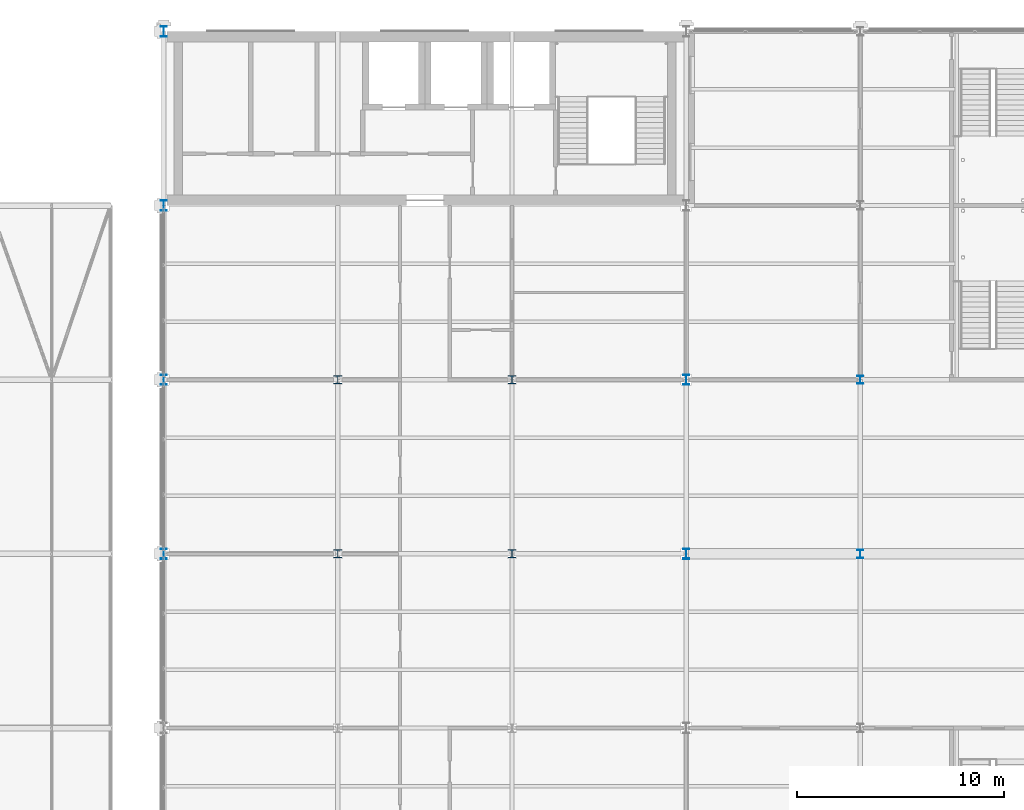
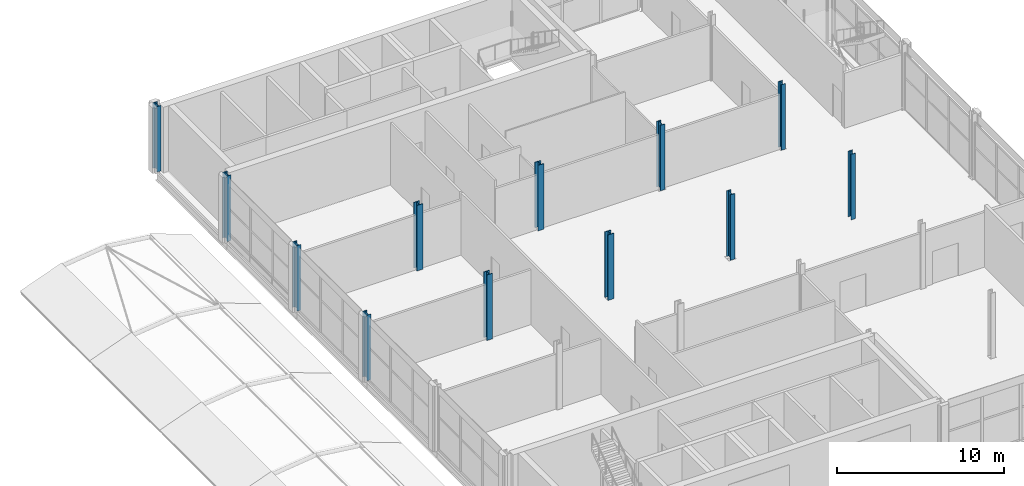
# One storey, part 13 of 167: 12 columns.
"""IFC4 building model written with IfcOpenShell, lengths in metres."""

import ifcopenshell
import ifcopenshell.guid

model = None  # the IFC model being written
_history = None  # IfcOwnerHistory: only IFC2X3 demands one
_inside = {}  # id of a spatial element -> (the spatial element, [elements in it])
_under = {}  # id of a project, library or spatial element -> (it, [spatial elements below it])
_declared = {}  # id of a project -> (the project, [libraries it declares])
_typed = {}  # id of a type object -> (the type object, [elements of that type])
_made_of = {}  # id of a material, layer set ... -> (it, [elements and type objects made of it])


def new_model(schema):
    """Start an empty IFC model of exactly this schema.

    Asked for "IFC4X3", IfcOpenShell would pick the latest addendum, in which some entities
    have other attributes; the version numbers below select the first issue.
    IFC2X3 requires an IfcOwnerHistory on every rooted entity: one is made here for all.
    """
    global model, _history
    if schema == "IFC4X3":
        model = ifcopenshell.file(schema_version=(4, 3, 0, 0))
    else:
        model = ifcopenshell.file(schema=schema)
    _inside.clear()
    _under.clear()
    _declared.clear()
    _typed.clear()
    _made_of.clear()
    _history = None
    if model.schema == "IFC2X3":
        org = make("IfcOrganization", Name="unknown")
        user = make(
            "IfcPersonAndOrganization",
            ThePerson=make("IfcPerson", FamilyName="unknown"),
            TheOrganization=org,
        )
        app = make(
            "IfcApplication",
            ApplicationDeveloper=org,
            Version="unknown",
            ApplicationFullName="unknown",
            ApplicationIdentifier="unknown",
        )
        _history = make(
            "IfcOwnerHistory",
            OwningUser=user,
            OwningApplication=app,
            ChangeAction="ADDED",
            CreationDate=0,
        )
    return model


def make(cls, **values):
    """One entity of the class cls with the attributes given. An attribute that is None is left unset."""
    return model.create_entity(
        cls, **{name: value for name, value in values.items() if value is not None}
    )


def rooted(cls, **values):
    """An entity with a GlobalId (a new one), such as an element, a storey or a relation."""
    return make(cls, GlobalId=ifcopenshell.guid.new(), OwnerHistory=_history, **values)


def si_unit(unit_type, name, prefix=None):
    """IfcSIUnit, for example si_unit("LENGTHUNIT", "METRE", prefix="MILLI")."""
    return make("IfcSIUnit", UnitType=unit_type, Prefix=prefix, Name=name)


def assignment(units):
    """IfcUnitAssignment: the units of a project."""
    return None if units is None else make("IfcUnitAssignment", Units=units)


def point(xyz):
    """IfcCartesianPoint."""
    return None if xyz is None else make("IfcCartesianPoint", Coordinates=xyz)


def direction(xyz):
    """IfcDirection."""
    return None if xyz is None else make("IfcDirection", DirectionRatios=xyz)


def frame(location, z_axis=None, x_axis=None):
    """IfcAxis2Placement3D, a coordinate frame: its origin and axes. An axis left out is left unset."""
    return make(
        "IfcAxis2Placement3D",
        Location=point(location),
        Axis=direction(z_axis),
        RefDirection=direction(x_axis),
    )


def frame_2d(location, x_axis=None):
    """IfcAxis2Placement2D, a coordinate frame in the plane: its origin and x axis."""
    return make(
        "IfcAxis2Placement2D", Location=point(location), RefDirection=direction(x_axis)
    )


def origin():
    """The frame at (0, 0, 0) with its axes left unset."""
    return frame((0.0, 0.0, 0.0))


def origin_2d():
    """The frame at (0, 0) in the plane with its x axis left unset."""
    return frame_2d((0.0, 0.0))


def place(relative_to, where):
    """IfcLocalPlacement: puts the frame where relative to a parent placement (None: the world)."""
    return make(
        "IfcLocalPlacement", PlacementRelTo=relative_to, RelativePlacement=where
    )


def context(
    kind, dimensions, precision=None, world=None, true_north=None, identifier=None
):
    """IfcGeometricRepresentationContext, for example the 3D "Model" context."""
    return make(
        "IfcGeometricRepresentationContext",
        ContextIdentifier=identifier,
        ContextType=kind,
        CoordinateSpaceDimension=dimensions,
        Precision=precision,
        WorldCoordinateSystem=world,
        TrueNorth=true_north,
    )


def subcontext(parent, identifier, kind, view, scale=None):
    """IfcGeometricRepresentationSubContext, for example "Body" below "Model"."""
    return make(
        "IfcGeometricRepresentationSubContext",
        ContextIdentifier=identifier,
        ContextType=kind,
        ParentContext=parent,
        TargetScale=scale,
        TargetView=view,
    )


def project(units=None, contexts=None):
    """IfcProject with its units and contexts."""
    return rooted(
        "IfcProject",
        Name="project",
        RepresentationContexts=contexts,
        UnitsInContext=assignment(units),
    )


def spatial(cls, under=None, at=None, **own):
    """A site, building, storey or space (cls), placed at a placement, below another one or the project."""
    s = rooted(cls, ObjectPlacement=at, **own)
    if under is not None:
        _under.setdefault(under.id(), (under, []))[1].append(s)
    return s


def profile(cls, at=None, kind="AREA", **sizes):
    """A parametric profile (cls). Its sizes go by their IFC names, for example OverallWidth=200.0."""
    return make(cls, ProfileType=kind, Position=at, **sizes)


def i_section(**sizes):
    """IfcIShapeProfileDef."""
    return profile("IfcIShapeProfileDef", **sizes)


def extrude(swept, where, along, depth):
    """IfcExtrudedAreaSolid: the profile swept, set in the frame where, extruded along a direction by depth."""
    return make(
        "IfcExtrudedAreaSolid",
        SweptArea=swept,
        Position=where,
        ExtrudedDirection=direction(along),
        Depth=depth,
    )


def shape(context_of_items, identifier, shape_type, items):
    """IfcShapeRepresentation: the items that make up one representation, for example the "Body"."""
    return make(
        "IfcShapeRepresentation",
        ContextOfItems=context_of_items,
        RepresentationIdentifier=identifier,
        RepresentationType=shape_type,
        Items=items,
    )


def material(Name=None, Category=None):
    """IfcMaterial."""
    return make("IfcMaterial", Name=Name, Category=Category)


def material_profile(
    of_material, cross_section, Name=None, Category=None, Priority=None
):
    """IfcMaterialProfile: a cross section and its material."""
    return make(
        "IfcMaterialProfile",
        Name=Name,
        Material=of_material,
        Profile=cross_section,
        Priority=Priority,
        Category=Category,
    )


def profile_set(profiles, Name=None, composite=None):
    """IfcMaterialProfileSet."""
    return make(
        "IfcMaterialProfileSet",
        Name=Name,
        MaterialProfiles=profiles,
        CompositeProfile=composite,
    )


def made_of(thing, what):
    """Note that an element or type object is made of a material, layer set ...; save() writes the relation."""
    if what is not None:
        _made_of.setdefault(what.id(), (what, []))[1].append(thing)
    return thing


def type_object(cls, material=None, **own):
    """A type object (cls), such as IfcWallType, which elements share."""
    return made_of(rooted(cls, **own), material)


def element(
    cls,
    number,
    at=None,
    inside=None,
    cuts=None,
    type_object=None,
    material=None,
    context=None,
    identifier="Body",
    shape_type=None,
    held_by="IfcProductDefinitionShape",
    body=None,
    shapes=None,
    **own,
):
    """One element of the class cls, such as IfcWall. Its Tag is "e" and its number.

    at: its placement. inside: the storey or other place that contains it. cuts: it is an
    opening in that element (IfcRelVoidsElement). A single representation is given by context,
    identifier, shape_type and body (its items); several are given by shapes. held_by: the class
    of the entity that holds the representations. save() writes the other relations.
    """
    e = rooted(cls, Tag="e%d" % number, ObjectPlacement=at, **own)
    if body is not None:
        shapes = [shape(context, identifier, shape_type, body)]
    if shapes is not None:
        e.Representation = make(held_by, Representations=shapes)
    if inside is not None:
        _inside.setdefault(inside.id(), (inside, []))[1].append(e)
    if cuts is not None:
        rooted(
            "IfcRelVoidsElement", RelatingBuildingElement=cuts, RelatedOpeningElement=e
        )
    if type_object is not None:
        _typed.setdefault(type_object.id(), (type_object, []))[1].append(e)
    return made_of(e, material)


def aggregate(whole, parts):
    """IfcRelAggregates: a whole, such as a stair, and the parts it consists of."""
    return rooted("IfcRelAggregates", RelatingObject=whole, RelatedObjects=parts)


def save(model, path):
    """Write the relations noted so far, then the file.

    IfcRelAggregates (storeys below a building ...), IfcRelContainedInSpatialStructure (elements
    in a storey), IfcRelDefinesByType, IfcRelAssociatesMaterial and IfcRelDeclares: one each for
    every whole, place, type object, material and project.
    """
    for whole, parts in _under.values():
        aggregate(whole, parts)
    for where, things in _inside.values():
        rooted(
            "IfcRelContainedInSpatialStructure",
            RelatedElements=things,
            RelatingStructure=where,
        )
    for kind, things in _typed.values():
        rooted("IfcRelDefinesByType", RelatedObjects=things, RelatingType=kind)
    for what, things in _made_of.values():
        rooted("IfcRelAssociatesMaterial", RelatedObjects=things, RelatingMaterial=what)
    for by, libraries in _declared.values():
        rooted("IfcRelDeclares", RelatingContext=by, RelatedDefinitions=libraries)
    model.write(path)


model = new_model("IFC4")

# Units and contexts
model_context = context("Model", 3, precision=1e-05, world=origin(), true_north=direction((0.0, 1.0)))
body_context = subcontext(model_context, "Body", "Model", "MODEL_VIEW")
ifc_project = project(units=[si_unit("LENGTHUNIT", "METRE"), si_unit("AREAUNIT", "SQUARE_METRE"), si_unit("VOLUMEUNIT", "CUBIC_METRE"), si_unit("PLANEANGLEUNIT", "RADIAN"), si_unit("MASSUNIT", "GRAM", prefix="KILO")], contexts=[model_context])

# Site, building, storey
site_placement = place(None, origin())
site = spatial("IfcSite", under=ifc_project, at=site_placement, CompositionType="ELEMENT")
building_placement = place(site_placement, origin())
building = spatial("IfcBuilding", under=site, at=building_placement, Name="Catenary Quay Ferry Terminal", CompositionType="ELEMENT")
storey_placement = place(building_placement, frame((0.0, 0.0, 6.0)))
storey = spatial("IfcBuildingStorey", under=building, at=storey_placement, Name="L01", CompositionType="ELEMENT", Elevation=6.0)

# Columns
ifc_material_1 = material(Name="Steel S355", Category="steel")
ifc_material_profile_1 = material_profile(ifc_material_1, i_section(OverallWidth=0.300048828125, OverallDepth=0.5, WebThickness=0.014404296875, FlangeThickness=0.028076171875, at=origin_2d()), Name="HEB 500")
ifc_profile_set_1 = profile_set([ifc_material_profile_1], Name="Steel S355")
column_type_1 = type_object("IfcColumnType", Name="C1 HEB 500", PredefinedType="COLUMN", material=ifc_profile_set_1)
for number, where, z_axis, x_axis, name in (
    (1, (25.199951171875, 201.60009765625, 0.0), (0.0, 0.0, 1.0), (1.0, 0.0, 0.0), "Column C-D25 L01"),
    (2, (25.199951171875, 210.0, 0.0), (0.0, 0.0, 1.0), (1.0, 0.0, 0.0), "Column C-D26 L01"),
    (3, (25.199951171875, 184.800048828125, 0.0), (0.0, 0.0, 1.0), (1.0, 0.0, 0.0), "Column C-D23 L01"),
    (4, (25.199951171875, 193.199951171875, 0.0), (0.0, 0.0, 1.0), (1.0, 0.0, 0.0), "Column C-D24 L01"),
    (5, (50.39990234375, 184.800048828125, 0.0), (0.0, 0.0, 1.0), (1.0, 0.0, 0.0), "Column C-G23 L01"),
    (6, (50.39990234375, 193.199951171875, 0.0), (0.0, 0.0, 1.0), (1.0, 0.0, 0.0), "Column C-G24 L01"),
):
    element("IfcColumn", number, at=place(storey_placement, frame(where, z_axis=z_axis, x_axis=x_axis)), inside=storey, type_object=column_type_1, Name=name, PredefinedType="COLUMN", context=body_context, shape_type="SweptSolid", body=[
        extrude(i_section(OverallWidth=0.300048828125, OverallDepth=0.5, WebThickness=0.014404296875, FlangeThickness=0.028076171875, at=origin_2d()), origin(), (0.0, 0.0, 1.0), 4.800048828125),
    ])
ifc_material_2 = material(Name="Steel S355", Category="steel")
ifc_material_profile_2 = material_profile(ifc_material_2, i_section(OverallWidth=0.300048828125, OverallDepth=0.39990234375, WebThickness=0.013427734375, FlangeThickness=0.02392578125, at=origin_2d()), Name="HEB 400")
ifc_profile_set_2 = profile_set([ifc_material_profile_2], Name="Steel S355")
column_type_2 = type_object("IfcColumnType", Name="C2 HEB 400", PredefinedType="COLUMN", material=ifc_profile_set_2)
for number, where, z_axis, x_axis, name in (
    (7, (58.800048828125, 184.800048828125, 0.0), (0.0, 0.0, 1.0), (1.0, 0.0, 0.0), "Column C-H23 L01"),
    (8, (58.800048828125, 193.199951171875, 0.0), (0.0, 0.0, 1.0), (1.0, 0.0, 0.0), "Column C-H24 L01"),
):
    element("IfcColumn", number, at=place(storey_placement, frame(where, z_axis=z_axis, x_axis=x_axis)), inside=storey, type_object=column_type_2, Name=name, PredefinedType="COLUMN", context=body_context, shape_type="SweptSolid", body=[
        extrude(i_section(OverallWidth=0.300048828125, OverallDepth=0.39990234375, WebThickness=0.013427734375, FlangeThickness=0.02392578125, at=origin_2d()), origin(), (0.0, 0.0, 1.0), 4.800048828125),
    ])
ifc_material_3 = material(Name="Steel S355", Category="steel")
ifc_material_profile_3 = material_profile(ifc_material_3, i_section(OverallWidth=0.404052734375, OverallDepth=0.406982421875, WebThickness=0.027099609375, FlangeThickness=0.043701171875, at=origin_2d()), Name="HD 400x347")
ifc_profile_set_3 = profile_set([ifc_material_profile_3], Name="Steel S355")
column_type_3 = type_object("IfcColumnType", Name="C9 HD 400x347", PredefinedType="COLUMN", material=ifc_profile_set_3)
for number, where, z_axis, x_axis, name in (
    (9, (33.60009765625, 184.800048828125, 0.0), (0.0, 0.0, 1.0), (1.0, 0.0, 0.0), "Column C-E23 L01"),
    (10, (33.60009765625, 193.199951171875, 0.0), (0.0, 0.0, 1.0), (1.0, 0.0, 0.0), "Column C-E24 L01"),
    (11, (42.0, 184.800048828125, 0.0), (0.0, 0.0, 1.0), (1.0, 0.0, 0.0), "Column C-F23 L01"),
    (12, (42.0, 193.199951171875, 0.0), (0.0, 0.0, 1.0), (1.0, 0.0, 0.0), "Column C-F24 L01"),
):
    element("IfcColumn", number, at=place(storey_placement, frame(where, z_axis=z_axis, x_axis=x_axis)), inside=storey, type_object=column_type_3, Name=name, PredefinedType="COLUMN", context=body_context, shape_type="SweptSolid", body=[
        extrude(i_section(OverallWidth=0.404052734375, OverallDepth=0.406982421875, WebThickness=0.027099609375, FlangeThickness=0.043701171875, at=origin_2d()), origin(), (0.0, 0.0, 1.0), 4.800048828125),
    ])

save(model, "model.ifc")
